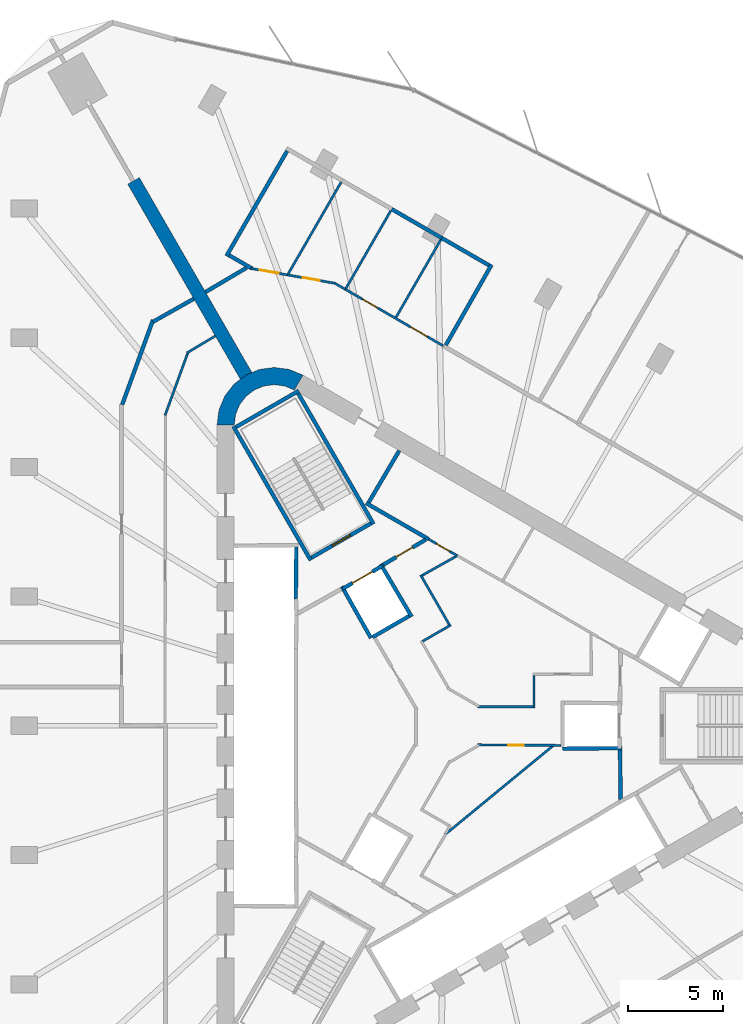
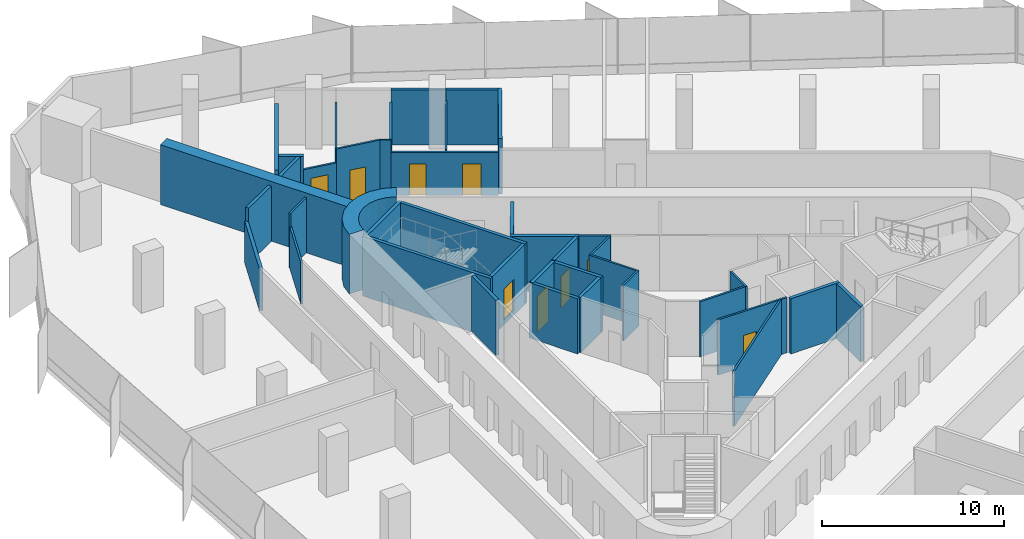
# One storey, part 10 of 14: 41 walls, 9 doors, 9 openings.
"""IFC4 building model written with IfcOpenShell, lengths in metres."""

from ifc_helpers import new_model, si_unit, direction, frame, frame_2d, origin, place, context, subcontext, project, spatial, polyline, rectangle, outline, extrude, material, layer, layer_set, type_object, element, fill, save


model = new_model("IFC4")

# Units and contexts
model_context = context("Model", 3, precision=1e-05, world=origin(), true_north=direction((0.0, 1.0)))
body_context = subcontext(model_context, "Body", "Model", "MODEL_VIEW")
ifc_project = project(units=[si_unit("LENGTHUNIT", "METRE"), si_unit("AREAUNIT", "SQUARE_METRE"), si_unit("VOLUMEUNIT", "CUBIC_METRE"), si_unit("PLANEANGLEUNIT", "RADIAN"), si_unit("MASSUNIT", "GRAM", prefix="KILO")], contexts=[model_context])

# Site, building, storey
site_placement = place(None, origin())
site = spatial("IfcSite", under=ifc_project, at=site_placement, CompositionType="ELEMENT")
building_placement = place(site_placement, origin())
building = spatial("IfcBuilding", under=site, at=building_placement, Name="Tanit Gate Tower", CompositionType="ELEMENT")
storey_placement = place(building_placement, frame((0.0, 0.0, 205.199951171875)))
storey = spatial("IfcBuildingStorey", under=building, at=storey_placement, Name="L45", CompositionType="ELEMENT", Elevation=205.199951171875)

# Walls
ifc_material_1 = material(Name="Concrete C50/60", Category="concrete")
ifc_layer_1 = layer(ifc_material_1, 0.699951171875)
ifc_layer_set_1 = layer_set([ifc_layer_1], Name="BUTTRESS FIN 700 C50/60")
wall_type_1 = type_object("IfcWallType", Name="BUTTRESS FIN 700 C50/60", PredefinedType="SHEAR", material=ifc_layer_set_1)
wall_1_placement = place(storey_placement, frame((-10.574951171875, 18.31640625, 0.0), z_axis=(0.0, 0.0, 1.0), x_axis=(-0.499999598486, 0.866025635599, 0.0)))
element("IfcWall", 1, at=wall_1_placement, inside=storey, type_object=wall_type_1, Name="BUTTRESS FIN", PredefinedType="SHEAR", context=body_context, shape_type="SweptSolid", body=[
    extrude(rectangle(XDim=11.7939453125, YDim=0.699951171875, at=frame_2d((5.89697265625, 0.0))), origin(), (0.0, 0.0, 1.0), 4.0),
])
ifc_material_2 = material(Name="Concrete C50/60", Category="concrete")
ifc_layer_2 = layer(ifc_material_2, 0.89990234375)
ifc_layer_set_2 = layer_set([ifc_layer_2], Name="CORE WALL 900 C50/60")
wall_type_2 = type_object("IfcWallType", Name="CORE WALL 900 C50/60", PredefinedType="SHEAR", material=ifc_layer_set_2)
wall_2_placement = place(storey_placement, origin())
element("IfcWall", 2, at=wall_2_placement, inside=storey, type_object=wall_type_2, Name="CORE WALL CORNER", PredefinedType="SHEAR", context=body_context, shape_type="SweptSolid", body=[
    extrude(outline(polyline([(-7.60009765625, 18.359619140625), (-8.323486328125, 18.659423828125), (-9.10009765625, 18.76171875), (-9.87646484375, 18.659423828125), (-10.60009765625, 18.359619140625), (-11.22119140625, 17.883056640625), (-11.697998046875, 17.26171875), (-11.997802734375, 16.5380859375), (-12.10009765625, 15.76171875), (-11.199951171875, 15.76171875), (-11.12841796875, 16.30517578125), (-10.918701171875, 16.811767578125), (-10.5849609375, 17.24658203125), (-10.14990234375, 17.580322265625), (-9.6435546875, 17.7900390625), (-9.10009765625, 17.86181640625), (-8.556396484375, 17.7900390625), (-8.050048828125, 17.580322265625), (-7.60009765625, 18.359619140625)])), origin(), (0.0, 0.0, 1.0), 4.0),
])
ifc_material_3 = material(Name="Fire-rated gypsum board partition")
ifc_layer_3 = layer(ifc_material_3, 0.199951171875)
ifc_layer_set_3 = layer_set([ifc_layer_3], Name="INT-WALL-COMPARTMENT")
wall_type_3 = type_object("IfcWallType", Name="INT-WALL-COMPARTMENT", PredefinedType="PARTITIONING", material=ifc_layer_set_3)
wall_3_placement = place(storey_placement, frame((-4.295654296875, 11.659912109375, 0.0), z_axis=(0.0, 0.0, 1.0), x_axis=(0.866027389382, -0.499996560828, 0.0)))
element("IfcWall", 3, at=wall_3_placement, inside=storey, type_object=wall_type_3, Name="Wall Compartment W053", PredefinedType="PARTITIONING", context=body_context, shape_type="SweptSolid", body=[
    extrude(rectangle(XDim=3.77783203125, YDim=0.199951171875, at=frame_2d((1.888916015625, 0.0))), origin(), (0.0, 0.0, 1.0), 3.699951171875),
])
wall_4_placement = place(storey_placement, frame((-2.557861328125, 14.409423828125, 0.0), z_axis=(0.0, 0.0, 1.0), x_axis=(-0.508018930956, -0.861345903683, 0.0)))
element("IfcWall", 4, at=wall_4_placement, inside=storey, type_object=wall_type_3, Name="Wall Compartment W054", PredefinedType="PARTITIONING", context=body_context, shape_type="SweptSolid", body=[
    extrude(rectangle(XDim=3.150146484375, YDim=0.199951171875, at=frame_2d((1.5751953125, 0.0))), origin(), (0.0, 0.0, 1.0), 3.699951171875),
])
wall_5_placement = place(storey_placement, frame((9.02880859375, -3.8505859375, 0.0), z_axis=(0.0, 0.0, 1.0), x_axis=(-0.010784614026, 0.999941844359, 0.0)))
element("IfcWall", 5, at=wall_5_placement, inside=storey, type_object=wall_type_3, Name="Wall Compartment W059", PredefinedType="PARTITIONING", context=body_context, shape_type="SweptSolid", body=[
    extrude(rectangle(XDim=2.580810546875, YDim=0.199951171875, at=frame_2d((1.29052734375, 0.0))), origin(), (0.0, 0.0, 1.0), 3.699951171875),
])

# Wall, opening, door
wall_6_placement = place(storey_placement, frame((-1.1787109375, 9.744873046875, 0.0), z_axis=(0.0, 0.0, 1.0), x_axis=(-0.860630814782, -0.509229418482, 0.0)))
wall_6 = element("IfcWall", 6, at=wall_6_placement, inside=storey, type_object=wall_type_3, Name="Wall Compartment W062", PredefinedType="PARTITIONING", context=body_context, shape_type="SweptSolid", body=[
    extrude(rectangle(XDim=2.581787109375, YDim=0.199951171875, at=frame_2d((1.291015625, 0.0))), origin(), (0.0, 0.0, 1.0), 3.699951171875),
])
opening_1_placement = place(wall_6_placement, frame((0.791015625, 0.0, 0.0)))
opening_1 = element("IfcOpeningElement", 7, at=opening_1_placement, cuts=wall_6, Name="Opening F10-S12-05", PredefinedType="OPENING", context=body_context, shape_type="SweptSolid", body=[
    extrude(rectangle(XDim=1.0, YDim=2.10009765625, at=frame_2d((0.5, 1.050048828125))), frame((0.0, 0.10986328125, 0.0), z_axis=(0.0, -1.0, 0.0), x_axis=(1.0, 0.0, 0.0)), (0.0, 0.0, 1.0), 0.219970703125),
])
ifc_material_4 = material(Name="Fire-rated steel door leaf", Category="steel")
door_type_1 = type_object("IfcDoorType", Name="INT-DOOR-FIRE-1000", OperationType="NOTDEFINED", PredefinedType="USERDEFINED", material=ifc_material_4)
door_1_placement = place(opening_1_placement, origin())
door_1 = element("IfcDoor", 8, at=door_1_placement, inside=storey, type_object=door_type_1, Name="Door F10-S12-05", ObjectType="FIRE DOOR", OperationType="SINGLE_SWING_RIGHT", OverallHeight=2.10009765625, OverallWidth=1.0, PredefinedType="USERDEFINED", context=body_context, shape_type="SweptSolid", body=[
    extrude(rectangle(XDim=1.0, YDim=2.10009765625, at=frame_2d((0.5, 1.050048828125))), frame((0.0, 0.02490234375, 0.0), z_axis=(0.0, -1.0, 0.0), x_axis=(1.0, 0.0, 0.0)), (0.0, 0.0, 1.0), 0.050048828125),
])
fill(opening_1, door_1)

# Walls
wall_7_placement = place(storey_placement, frame((-15.456298828125, 21.238525390625, 0.0), z_axis=(0.0, 0.0, 1.0), x_axis=(-0.34205546997, -0.939679762187, 0.0)))
element("IfcWall", 9, at=wall_7_placement, inside=storey, type_object=wall_type_3, Name="Wall Compartment W093", PredefinedType="PARTITIONING", context=body_context, shape_type="SweptSolid", body=[
    extrude(rectangle(XDim=4.705810546875, YDim=0.199951171875, at=frame_2d((2.35302734375, 0.0))), origin(), (0.0, 0.0, 1.0), 2.780029296875),
])
wall_8_placement = place(storey_placement, frame((-13.31298828125, 22.35888671875, 0.0), z_axis=(0.0, 0.0, 1.0), x_axis=(-0.87121710687, -0.490897904555, 0.0)))
element("IfcWall", 10, at=wall_8_placement, inside=storey, type_object=wall_type_3, Name="Wall Compartment W094", PredefinedType="PARTITIONING", context=body_context, shape_type="SweptSolid", body=[
    extrude(rectangle(XDim=2.457275390625, YDim=0.199951171875, at=frame_2d((1.228515625, 0.0))), origin(), (0.0, 0.0, 1.0), 3.699951171875),
])
wall_9_placement = place(storey_placement, frame((-10.5498046875, 23.984619140625, 0.0), z_axis=(0.0, 0.0, 1.0), x_axis=(-0.860742216303, -0.509041095663, 0.0)))
element("IfcWall", 11, at=wall_9_placement, inside=storey, type_object=wall_type_3, Name="Wall Compartment W102", PredefinedType="PARTITIONING", context=body_context, shape_type="SweptSolid", body=[
    extrude(rectangle(XDim=2.505859375, YDim=0.199951171875, at=frame_2d((1.2529296875, 0.0))), origin(), (0.0, 0.0, 1.0), 3.699951171875),
])
wall_10_placement = place(storey_placement, frame((2.277587890625, 24.146240234375, 0.0), z_axis=(0.0, 0.0, 1.0), x_axis=(-0.494609479201, -0.869115333592, 0.0)))
element("IfcWall", 12, at=wall_10_placement, inside=storey, type_object=wall_type_3, Name="Wall Compartment W129", PredefinedType="PARTITIONING", context=body_context, shape_type="SweptSolid", body=[
    extrude(rectangle(XDim=4.85009765625, YDim=0.199951171875, at=frame_2d((2.425048828125, 0.0))), origin(), (0.0, 0.0, 1.0), 3.699951171875),
])
wall_11_placement = place(storey_placement, frame((-2.954833984375, 27.0517578125, 0.0), z_axis=(0.0, 0.0, 1.0), x_axis=(0.865996229516, -0.50005052791, 0.0)))
element("IfcWall", 13, at=wall_11_placement, inside=storey, type_object=wall_type_3, Name="Wall Compartment W131", PredefinedType="PARTITIONING", context=body_context, shape_type="SweptSolid", body=[
    extrude(rectangle(XDim=3.027587890625, YDim=0.199951171875, at=frame_2d((1.513671875, 0.0))), origin(), (0.0, 0.0, 1.0), 3.699951171875),
])
wall_12_placement = place(storey_placement, frame((-0.3330078125, 25.537841796875, 0.0), z_axis=(0.0, 0.0, 1.0), x_axis=(0.866063225885, -0.499934484477, 0.0)))
element("IfcWall", 14, at=wall_12_placement, inside=storey, type_object=wall_type_3, Name="Wall Compartment W130", PredefinedType="PARTITIONING", context=body_context, shape_type="SweptSolid", body=[
    extrude(rectangle(XDim=2.857421875, YDim=0.199951171875, at=frame_2d((1.4287109375, 0.0))), origin(), (0.0, 0.0, 1.0), 3.699951171875),
])
wall_13_placement = place(storey_placement, frame((-8.4306640625, 30.09765625, 0.0), z_axis=(0.0, 0.0, 1.0), x_axis=(-0.500005339912, -0.866022320763, 0.0)))
element("IfcWall", 15, at=wall_13_placement, inside=storey, type_object=wall_type_3, Name="Wall Compartment W134", PredefinedType="PARTITIONING", context=body_context, shape_type="SweptSolid", body=[
    extrude(rectangle(XDim=6.35009765625, YDim=0.199951171875, at=frame_2d((3.175048828125, 0.0))), origin(), (0.0, 0.0, 1.0), 2.780029296875),
])
wall_14_placement = place(storey_placement, frame((-11.468994140625, 24.635009765625, 0.0), z_axis=(0.0, 0.0, 1.0), x_axis=(0.866030639775, -0.499990930889, 0.0)))
element("IfcWall", 16, at=wall_14_placement, inside=storey, type_object=wall_type_3, Name="Wall Compartment W135", PredefinedType="PARTITIONING", context=body_context, shape_type="SweptSolid", body=[
    extrude(rectangle(XDim=1.390625, YDim=0.199951171875, at=frame_2d((0.6953125, 0.0))), origin(), (0.0, 0.0, 1.0), 3.699951171875),
])

# Wall, opening, door
ifc_material_5 = material(Name="Gypsum board partition")
ifc_layer_4 = layer(ifc_material_5, 0.1201171875)
ifc_layer_set_4 = layer_set([ifc_layer_4], Name="INT-WALL-PARTITION")
wall_type_4 = type_object("IfcWallType", Name="INT-WALL-PARTITION", PredefinedType="PARTITIONING", material=ifc_layer_set_4)
wall_15_placement = place(storey_placement, frame((-1.02392578125, 9.77099609375, 0.0), z_axis=(0.0, 0.0, 1.0), x_axis=(0.866039397417, -0.499975761534, 0.0)))
wall_15 = element("IfcWall", 17, at=wall_15_placement, inside=storey, type_object=wall_type_4, Name="Wall Partition W056", PredefinedType="PARTITIONING", context=body_context, shape_type="SweptSolid", body=[
    extrude(rectangle(XDim=1.751953125, YDim=0.1201171875, at=frame_2d((0.8759765625, 0.0))), origin(), (0.0, 0.0, 1.0), 3.699951171875),
])
opening_2_placement = place(wall_15_placement, frame((0.4658203125, 0.0, 0.0)))
opening_2 = element("IfcOpeningElement", 18, at=opening_2_placement, cuts=wall_15, Name="Opening R08-S12-15", PredefinedType="OPENING", context=body_context, shape_type="SweptSolid", body=[
    extrude(rectangle(XDim=0.800048828125, YDim=2.10009765625, at=frame_2d((0.39990234375, 1.050048828125))), frame((0.0, 0.070068359375, 0.0), z_axis=(0.0, -1.0, 0.0), x_axis=(1.0, 0.0, 0.0)), (0.0, 0.0, 1.0), 0.14013671875),
])
ifc_material_6 = material(Name="Timber door leaf", Category="wood")
door_type_2 = type_object("IfcDoorType", Name="INT-DOOR-RISER-800", OperationType="NOTDEFINED", PredefinedType="USERDEFINED", material=ifc_material_6)
door_2_placement = place(opening_2_placement, origin())
door_2 = element("IfcDoor", 19, at=door_2_placement, inside=storey, type_object=door_type_2, Name="Door R08-S12-15", ObjectType="FIRE DOOR", OperationType="SINGLE_SWING_RIGHT", OverallHeight=2.10009765625, OverallWidth=0.800048828125, PredefinedType="USERDEFINED", context=body_context, shape_type="SweptSolid", body=[
    extrude(rectangle(XDim=0.800048828125, YDim=2.10009765625, at=frame_2d((0.39990234375, 1.050048828125))), frame((0.0, 0.02490234375, 0.0), z_axis=(0.0, -1.0, 0.0), x_axis=(1.0, 0.0, 0.0)), (0.0, 0.0, 1.0), 0.050048828125),
])
fill(opening_2, door_2)

# Wall
wall_16_placement = place(storey_placement, frame((5.5478515625, -1.0, 0.0), z_axis=(0.0, 0.0, 1.0), x_axis=(-0.772345431507, -0.635202750648, 0.0)))
element("IfcWall", 20, at=wall_16_placement, inside=storey, type_object=wall_type_4, Name="Wall Partition W068", PredefinedType="PARTITIONING", context=body_context, shape_type="SweptSolid", body=[
    extrude(rectangle(XDim=7.41455078125, YDim=0.1201171875, at=frame_2d((3.707275390625, 0.0))), origin(), (0.0, 0.0, 1.0), 3.699951171875),
])

# Wall, opening, door
wall_17_placement = place(storey_placement, frame((5.89990234375, -1.02880859375, 0.0), z_axis=(0.0, 0.0, 1.0), x_axis=(-0.999977012451, 0.006780454946, 0.0)))
wall_17 = element("IfcWall", 21, at=wall_17_placement, inside=storey, type_object=wall_type_4, Name="Wall Partition W071", PredefinedType="PARTITIONING", context=body_context, shape_type="SweptSolid", body=[
    extrude(rectangle(XDim=4.356689453125, YDim=0.1201171875, at=frame_2d((2.17822265625, 0.0))), origin(), (0.0, 0.0, 1.0), 3.699951171875),
])
opening_3_placement = place(wall_17_placement, frame((1.9541015625, 0.0, 0.0)))
opening_3 = element("IfcOpeningElement", 22, at=opening_3_placement, cuts=wall_17, Name="Opening R08-S12-12", PredefinedType="OPENING", context=body_context, shape_type="SweptSolid", body=[
    extrude(rectangle(XDim=0.800048828125, YDim=2.10009765625, at=frame_2d((0.39990234375, 1.050048828125))), frame((0.0, 0.070068359375, 0.0), z_axis=(0.0, -1.0, 0.0), x_axis=(1.0, 0.0, 0.0)), (0.0, 0.0, 1.0), 0.14013671875),
])
door_3_placement = place(opening_3_placement, origin())
door_3 = element("IfcDoor", 23, at=door_3_placement, inside=storey, type_object=door_type_2, Name="Door R08-S12-12", ObjectType="FIRE DOOR", OperationType="SINGLE_SWING_LEFT", OverallHeight=2.10009765625, OverallWidth=0.800048828125, PredefinedType="USERDEFINED", context=body_context, shape_type="SweptSolid", body=[
    extrude(rectangle(XDim=0.800048828125, YDim=2.10009765625, at=frame_2d((0.39990234375, 1.050048828125))), frame((0.0, 0.02490234375, 0.0), z_axis=(0.0, -1.0, 0.0), x_axis=(1.0, 0.0, 0.0)), (0.0, 0.0, 1.0), 0.050048828125),
])
fill(opening_3, door_3)

# Walls
wall_18_placement = place(storey_placement, frame((4.5, 0.93994140625, 0.0), z_axis=(0.0, 0.0, 1.0), x_axis=(0.0, 1.0, 0.0)))
element("IfcWall", 24, at=wall_18_placement, inside=storey, type_object=wall_type_4, Name="Wall Partition W079", PredefinedType="PARTITIONING", context=body_context, shape_type="SweptSolid", body=[
    extrude(rectangle(XDim=1.699951171875, YDim=0.1201171875, at=frame_2d((0.85009765625, 0.0))), origin(), (0.0, 0.0, 1.0), 3.699951171875),
])
wall_19_placement = place(storey_placement, frame((1.54150390625, 1.0, 0.0), z_axis=(0.0, 0.0, 1.0), x_axis=(1.0, 0.0, 0.0)))
element("IfcWall", 25, at=wall_19_placement, inside=storey, type_object=wall_type_4, Name="Wall Partition W080", PredefinedType="PARTITIONING", context=body_context, shape_type="SweptSolid", body=[
    extrude(rectangle(XDim=2.8984375, YDim=0.1201171875, at=frame_2d((1.44921875, 0.0))), origin(), (0.0, 0.0, 1.0), 3.699951171875),
])
wall_20_placement = place(storey_placement, frame((0.14013671875, 5.277099609375, 0.0), z_axis=(0.0, 0.0, 1.0), x_axis=(-0.865989465428, -0.500062241894, 0.0)))
element("IfcWall", 26, at=wall_20_placement, inside=storey, type_object=wall_type_4, Name="Wall Partition W083", PredefinedType="PARTITIONING", context=body_context, shape_type="SweptSolid", body=[
    extrude(rectangle(XDim=1.699951171875, YDim=0.1201171875, at=frame_2d((0.85009765625, 0.0))), origin(), (0.0, 0.0, 1.0), 3.699951171875),
])
wall_21_placement = place(storey_placement, frame((-1.441650390625, 7.897216796875, 0.0), z_axis=(0.0, 0.0, 1.0), x_axis=(0.499990139034, -0.866031096941, 0.0)))
element("IfcWall", 27, at=wall_21_placement, inside=storey, type_object=wall_type_4, Name="Wall Partition W084", PredefinedType="PARTITIONING", context=body_context, shape_type="SweptSolid", body=[
    extrude(rectangle(XDim=3.0, YDim=0.1201171875, at=frame_2d((1.5, 0.0))), origin(), (0.0, 0.0, 1.0), 3.699951171875),
])
wall_22_placement = place(storey_placement, frame((0.414306640625, 8.87109375, 0.0), z_axis=(0.0, 0.0, 1.0), x_axis=(-0.871809386997, -0.48984527429, 0.0)))
element("IfcWall", 28, at=wall_22_placement, inside=storey, type_object=wall_type_4, Name="Wall Partition W085", PredefinedType="PARTITIONING", context=body_context, shape_type="SweptSolid", body=[
    extrude(rectangle(XDim=2.034423828125, YDim=0.1201171875, at=frame_2d((1.01708984375, 0.0))), origin(), (0.0, 0.0, 1.0), 3.699951171875),
])
wall_23_placement = place(storey_placement, frame((-12.188720703125, 20.411376953125, 0.0), z_axis=(0.0, 0.0, 1.0), x_axis=(-0.858492721014, -0.51282574815, 0.0)))
element("IfcWall", 29, at=wall_23_placement, inside=storey, type_object=wall_type_4, Name="Wall Partition W086", PredefinedType="PARTITIONING", context=body_context, shape_type="SweptSolid", body=[
    extrude(rectangle(XDim=1.742431640625, YDim=0.1201171875, at=frame_2d((0.87109375, 0.0))), origin(), (0.0, 0.0, 1.0), 3.699951171875),
])
wall_24_placement = place(storey_placement, frame((-13.630615234375, 19.529541015625, 0.0), z_axis=(0.0, 0.0, 1.0), x_axis=(-0.342069878069, -0.939674517329, 0.0)))
element("IfcWall", 30, at=wall_24_placement, inside=storey, type_object=wall_type_4, Name="Wall Partition W087", PredefinedType="PARTITIONING", context=body_context, shape_type="SweptSolid", body=[
    extrude(rectangle(XDim=3.478759765625, YDim=0.1201171875, at=frame_2d((1.7392578125, 0.0))), origin(), (0.0, 0.0, 1.0), 2.780029296875),
])

# Wall, openings, doors
wall_25_placement = place(storey_placement, frame((-0.257568359375, 19.89404296875, 0.0), z_axis=(0.0, 0.0, 1.0), x_axis=(-0.866014429462, 0.500019007602, 0.0)))
wall_25 = element("IfcWall", 31, at=wall_25_placement, inside=storey, type_object=wall_type_4, Name="Wall Partition W104", PredefinedType="PARTITIONING", context=body_context, shape_type="SweptSolid", body=[
    extrude(rectangle(XDim=5.914794921875, YDim=0.1201171875, at=frame_2d((2.95751953125, 0.0))), origin(), (0.0, 0.0, 1.0), 2.880126953125),
])
opening_4_placement = place(wall_25_placement, frame((0.9736328125, 0.0, 0.0)))
opening_4 = element("IfcOpeningElement", 32, at=opening_4_placement, cuts=wall_25, Name="Opening D10-S12-21", PredefinedType="OPENING", context=body_context, shape_type="SweptSolid", body=[
    extrude(rectangle(XDim=1.0, YDim=2.10009765625, at=frame_2d((0.5, 1.050048828125))), frame((0.0, 0.070068359375, 0.0), z_axis=(0.0, -1.0, 0.0), x_axis=(1.0, 0.0, 0.0)), (0.0, 0.0, 1.0), 0.14013671875),
])
opening_5_placement = place(wall_25_placement, frame((3.98095703125, 0.0, 0.0)))
opening_5 = element("IfcOpeningElement", 33, at=opening_5_placement, cuts=wall_25, Name="Opening D09-S12-22", PredefinedType="OPENING", context=body_context, shape_type="SweptSolid", body=[
    extrude(rectangle(XDim=0.89990234375, YDim=2.10009765625, at=frame_2d((0.449951171875, 1.050048828125))), frame((0.0, 0.070068359375, 0.0), z_axis=(0.0, -1.0, 0.0), x_axis=(1.0, 0.0, 0.0)), (0.0, 0.0, 1.0), 0.14013671875),
])
ifc_material_7 = material(Name="Timber door leaf", Category="wood")
door_type_3 = type_object("IfcDoorType", Name="INT-DOOR-SINGLE-1000", OperationType="NOTDEFINED", PredefinedType="NOTDEFINED", material=ifc_material_7)
door_4_placement = place(opening_4_placement, origin())
door_4 = element("IfcDoor", 34, at=door_4_placement, inside=storey, type_object=door_type_3, Name="Door D10-S12-21", OperationType="SINGLE_SWING_LEFT", OverallHeight=2.10009765625, OverallWidth=1.0, PredefinedType="NOTDEFINED", context=body_context, shape_type="SweptSolid", body=[
    extrude(rectangle(XDim=1.0, YDim=2.10009765625, at=frame_2d((0.5, 1.050048828125))), frame((0.0, 0.02490234375, 0.0), z_axis=(0.0, -1.0, 0.0), x_axis=(1.0, 0.0, 0.0)), (0.0, 0.0, 1.0), 0.050048828125),
])
fill(opening_4, door_4)
ifc_material_8 = material(Name="Timber door leaf", Category="wood")
door_type_4 = type_object("IfcDoorType", Name="INT-DOOR-SINGLE-900", OperationType="NOTDEFINED", PredefinedType="NOTDEFINED", material=ifc_material_8)
door_5_placement = place(opening_5_placement, origin())
door_5 = element("IfcDoor", 35, at=door_5_placement, inside=storey, type_object=door_type_4, Name="Door D09-S12-22", OperationType="SINGLE_SWING_LEFT", OverallHeight=2.10009765625, OverallWidth=0.89990234375, PredefinedType="NOTDEFINED", context=body_context, shape_type="SweptSolid", body=[
    extrude(rectangle(XDim=0.89990234375, YDim=2.10009765625, at=frame_2d((0.449951171875, 1.050048828125))), frame((0.0, 0.02490234375, 0.0), z_axis=(0.0, -1.0, 0.0), x_axis=(1.0, 0.0, 0.0)), (0.0, 0.0, 1.0), 0.050048828125),
])
fill(opening_5, door_5)

# Wall
wall_26_placement = place(storey_placement, frame((-5.3798828125, 22.8515625, 0.0), z_axis=(0.0, 0.0, 1.0), x_axis=(-0.866129309467, 0.499819986878, 0.0)))
element("IfcWall", 36, at=wall_26_placement, inside=storey, type_object=wall_type_4, Name="Wall Partition W107", PredefinedType="PARTITIONING", context=body_context, shape_type="SweptSolid", body=[
    extrude(rectangle(XDim=0.577880859375, YDim=0.1201171875, at=frame_2d((0.2890625, 0.0))), origin(), (0.0, 0.0, 1.0), 3.699951171875),
])

# Wall, opening, door
wall_27_placement = place(storey_placement, frame((-5.873046875, 23.159912109375, 0.0), z_axis=(0.0, 0.0, 1.0), x_axis=(-0.984810190637, 0.173634352644, 0.0)))
wall_27 = element("IfcWall", 37, at=wall_27_placement, inside=storey, type_object=wall_type_4, Name="Wall Partition W106", PredefinedType="PARTITIONING", context=body_context, shape_type="SweptSolid", body=[
    extrude(rectangle(XDim=2.5830078125, YDim=0.1201171875, at=frame_2d((1.29150390625, 0.0))), origin(), (0.0, 0.0, 1.0), 3.699951171875),
])
opening_6_placement = place(wall_27_placement, frame((0.87158203125, 0.0, 0.0)))
opening_6 = element("IfcOpeningElement", 38, at=opening_6_placement, cuts=wall_27, Name="Opening D09-S12-23", PredefinedType="OPENING", context=body_context, shape_type="SweptSolid", body=[
    extrude(rectangle(XDim=0.89990234375, YDim=2.10009765625, at=frame_2d((0.449951171875, 1.050048828125))), frame((0.0, 0.070068359375, 0.0), z_axis=(0.0, -1.0, 0.0), x_axis=(1.0, 0.0, 0.0)), (0.0, 0.0, 1.0), 0.14013671875),
])
door_6_placement = place(opening_6_placement, origin())
door_6 = element("IfcDoor", 39, at=door_6_placement, inside=storey, type_object=door_type_4, Name="Door D09-S12-23", OperationType="SINGLE_SWING_RIGHT", OverallHeight=2.10009765625, OverallWidth=0.89990234375, PredefinedType="NOTDEFINED", context=body_context, shape_type="SweptSolid", body=[
    extrude(rectangle(XDim=0.89990234375, YDim=2.10009765625, at=frame_2d((0.449951171875, 1.050048828125))), frame((0.0, 0.02490234375, 0.0), z_axis=(0.0, -1.0, 0.0), x_axis=(1.0, 0.0, 0.0)), (0.0, 0.0, 1.0), 0.050048828125),
])
fill(opening_6, door_6)

wall_28_placement = place(storey_placement, frame((-8.416748046875, 23.6083984375, 0.0), z_axis=(0.0, 0.0, 1.0), x_axis=(-0.984793637517, 0.173728211601, 0.0)))
wall_28 = element("IfcWall", 40, at=wall_28_placement, inside=storey, type_object=wall_type_4, Name="Wall Partition W108", PredefinedType="PARTITIONING", context=body_context, shape_type="SweptSolid", body=[
    extrude(rectangle(XDim=1.950439453125, YDim=0.1201171875, at=frame_2d((0.97509765625, 0.0))), origin(), (0.0, 0.0, 1.0), 2.780029296875),
])
opening_7_placement = place(wall_28_placement, frame((0.47509765625, 0.0, 0.0)))
opening_7 = element("IfcOpeningElement", 41, at=opening_7_placement, cuts=wall_28, Name="Opening D10-S12-24", PredefinedType="OPENING", context=body_context, shape_type="SweptSolid", body=[
    extrude(rectangle(XDim=1.0, YDim=2.10009765625, at=frame_2d((0.5, 1.050048828125))), frame((0.0, 0.070068359375, 0.0), z_axis=(0.0, -1.0, 0.0), x_axis=(1.0, 0.0, 0.0)), (0.0, 0.0, 1.0), 0.14013671875),
])
door_7_placement = place(opening_7_placement, origin())
door_7 = element("IfcDoor", 42, at=door_7_placement, inside=storey, type_object=door_type_3, Name="Door D10-S12-24", OperationType="SINGLE_SWING_RIGHT", OverallHeight=2.10009765625, OverallWidth=1.0, PredefinedType="NOTDEFINED", context=body_context, shape_type="SweptSolid", body=[
    extrude(rectangle(XDim=1.0, YDim=2.10009765625, at=frame_2d((0.5, 1.050048828125))), frame((0.0, 0.02490234375, 0.0), z_axis=(0.0, -1.0, 0.0), x_axis=(1.0, 0.0, 0.0)), (0.0, 0.0, 1.0), 0.050048828125),
])
fill(opening_7, door_7)

# Walls
wall_29_placement = place(storey_placement, frame((-2.727783203125, 21.3896484375, 0.0), z_axis=(0.0, 0.0, 1.0), x_axis=(0.500007844523, 0.866020874699, 0.0)))
element("IfcWall", 43, at=wall_29_placement, inside=storey, type_object=wall_type_4, Name="Wall Partition W145", PredefinedType="PARTITIONING", context=body_context, shape_type="SweptSolid", body=[
    extrude(rectangle(XDim=4.68994140625, YDim=0.1201171875, at=frame_2d((2.344970703125, 0.0))), origin(), (0.0, 0.0, 1.0), 2.97998046875),
])
wall_30_placement = place(storey_placement, frame((-5.349853515625, 22.9033203125, 0.0), z_axis=(0.0, 0.0, 1.0), x_axis=(0.499985303776, 0.866033888487, 0.0)))
element("IfcWall", 44, at=wall_30_placement, inside=storey, type_object=wall_type_4, Name="Wall Partition W146", PredefinedType="PARTITIONING", context=body_context, shape_type="SweptSolid", body=[
    extrude(rectangle(XDim=4.690185546875, YDim=0.1201171875, at=frame_2d((2.34521484375, 0.0))), origin(), (0.0, 0.0, 1.0), 2.880126953125),
])
wall_31_placement = place(storey_placement, frame((-8.375244140625, 23.662109375, 0.0), z_axis=(0.0, 0.0, 1.0), x_axis=(0.500031131263, 0.866007429395, 0.0)))
element("IfcWall", 45, at=wall_31_placement, inside=storey, type_object=wall_type_4, Name="Wall Partition W147", PredefinedType="PARTITIONING", context=body_context, shape_type="SweptSolid", body=[
    extrude(rectangle(XDim=5.545654296875, YDim=0.1201171875, at=frame_2d((2.77294921875, 0.0))), origin(), (0.0, 0.0, 1.0), 2.880126953125),
])
ifc_material_9 = material(Name="Gypsum shaft wall system")
ifc_layer_5 = layer(ifc_material_9, 0.199951171875)
ifc_layer_set_5 = layer_set([ifc_layer_5], Name="INT-WALL-SHAFT")
wall_type_5 = type_object("IfcWallType", Name="INT-WALL-SHAFT", PredefinedType="PLUMBINGWALL", material=ifc_layer_set_5)
wall_32_placement = place(storey_placement, frame((-7.951171875, 9.35009765625, 0.0), z_axis=(0.0, 0.0, 1.0), x_axis=(-0.011120469654, -0.999938165666, 0.0)))
element("IfcWall", 46, at=wall_32_placement, inside=storey, type_object=wall_type_5, Name="Wall Shaft W002", PredefinedType="PLUMBINGWALL", context=body_context, shape_type="SweptSolid", body=[
    extrude(rectangle(XDim=2.700439453125, YDim=0.199951171875, at=frame_2d((1.35009765625, 0.0))), origin(), (0.0, 0.0, 1.0), 3.699951171875),
])
wall_33_placement = place(storey_placement, frame((9.10009765625, -1.1689453125, 0.0), z_axis=(0.0, 0.0, 1.0), x_axis=(-0.999949988, -0.010001074852, 0.0)))
element("IfcWall", 47, at=wall_33_placement, inside=storey, type_object=wall_type_5, Name="Wall Shaft W030", PredefinedType="PLUMBINGWALL", context=body_context, shape_type="SweptSolid", body=[
    extrude(rectangle(XDim=3.100341796875, YDim=0.199951171875, at=frame_2d((1.55029296875, 0.0))), origin(), (0.0, 0.0, 1.0), 3.699951171875),
])

# Wall, opening, door
wall_34_placement = place(storey_placement, frame((-5.524169921875, 7.168212890625, 0.0), z_axis=(0.0, 0.0, 1.0), x_axis=(0.866024647952, 0.500001309137, 0.0)))
wall_34 = element("IfcWall", 48, at=wall_34_placement, inside=storey, type_object=wall_type_5, Name="Wall Shaft W037", PredefinedType="PLUMBINGWALL", context=body_context, shape_type="SweptSolid", body=[
    extrude(rectangle(XDim=2.39990234375, YDim=0.199951171875, at=frame_2d((1.199951171875, 0.0))), origin(), (0.0, 0.0, 1.0), 3.699951171875),
])
opening_8_placement = place(wall_34_placement, frame((0.60009765625, 0.0, 0.0)))
opening_8 = element("IfcOpeningElement", 49, at=opening_8_placement, cuts=wall_34, Name="Opening LDFL2-L45", PredefinedType="OPENING", context=body_context, shape_type="SweptSolid", body=[
    extrude(rectangle(XDim=1.199951171875, YDim=2.39990234375, at=frame_2d((0.60009765625, 1.199951171875))), frame((0.0, 0.10986328125, 0.0), z_axis=(0.0, -1.0, 0.0), x_axis=(1.0, 0.0, 0.0)), (0.0, 0.0, 1.0), 0.219970703125),
])
ifc_material_10 = material(Name="Stainless steel sliding door leaf", Category="steel")
door_type_5 = type_object("IfcDoorType", Name="INT-DOOR-LANDING-1200", OperationType="NOTDEFINED", PredefinedType="USERDEFINED", material=ifc_material_10)
door_8_placement = place(opening_8_placement, origin())
door_8 = element("IfcDoor", 50, at=door_8_placement, inside=storey, type_object=door_type_5, Name="Door LDFL2-L45", ObjectType="LANDING DOOR", OperationType="SLIDING_TO_LEFT", OverallHeight=2.39990234375, OverallWidth=1.199951171875, PredefinedType="USERDEFINED", context=body_context, shape_type="SweptSolid", body=[
    extrude(rectangle(XDim=1.199951171875, YDim=2.39990234375, at=frame_2d((0.60009765625, 1.199951171875))), frame((0.0, 0.02490234375, 0.0), z_axis=(0.0, -1.0, 0.0), x_axis=(1.0, 0.0, 0.0)), (0.0, 0.0, 1.0), 0.050048828125),
])
fill(opening_8, door_8)

# Walls
wall_35_placement = place(storey_placement, frame((-4.039306640625, 4.59619140625, 0.0), z_axis=(0.0, 0.0, 1.0), x_axis=(-0.491322718731, 0.870977603649, 0.0)))
element("IfcWall", 51, at=wall_35_placement, inside=storey, type_object=wall_type_5, Name="Wall Shaft W038", PredefinedType="PLUMBINGWALL", context=body_context, shape_type="SweptSolid", body=[
    extrude(rectangle(XDim=3.10009765625, YDim=0.199951171875, at=frame_2d((1.550048828125, 0.0))), origin(), (0.0, 0.0, 1.0), 3.699951171875),
])
wall_36_placement = place(storey_placement, frame((-3.53759765625, 8.46533203125, 0.0), z_axis=(0.0, 0.0, 1.0), x_axis=(0.508616218331, -0.860993346345, 0.0)))
element("IfcWall", 52, at=wall_36_placement, inside=storey, type_object=wall_type_5, Name="Wall Shaft W039", PredefinedType="PLUMBINGWALL", context=body_context, shape_type="SweptSolid", body=[
    extrude(rectangle(XDim=3.2001953125, YDim=0.199951171875, at=frame_2d((1.60009765625, 0.0))), origin(), (0.0, 0.0, 1.0), 3.699951171875),
])
wall_37_placement = place(storey_placement, frame((-2.04736328125, 5.74609375, 0.0), z_axis=(0.0, 0.0, 1.0), x_axis=(-0.866019606374, -0.500010041276, 0.0)))
element("IfcWall", 53, at=wall_37_placement, inside=storey, type_object=wall_type_5, Name="Wall Shaft W040", PredefinedType="PLUMBINGWALL", context=body_context, shape_type="SweptSolid", body=[
    extrude(rectangle(XDim=2.20458984375, YDim=0.199951171875, at=frame_2d((1.102294921875, 0.0))), origin(), (0.0, 0.0, 1.0), 3.699951171875),
])
ifc_material_11 = material(Name="Concrete C40/50", Category="concrete")
ifc_layer_6 = layer(ifc_material_11, 0.199951171875)
ifc_layer_set_6 = layer_set([ifc_layer_6], Name="INT-WALL-STAIR")
wall_type_6 = type_object("IfcWallType", Name="INT-WALL-STAIR", PredefinedType="SHEAR", material=ifc_layer_set_6)
wall_38_placement = place(storey_placement, frame((-11.245361328125, 15.677734375, -0.300048828125), z_axis=(0.0, 0.0, 1.0), x_axis=(0.499977274689, -0.866038523851, 0.0)))
element("IfcWall", 54, at=wall_38_placement, inside=storey, type_object=wall_type_6, Name="Wall Stair W033", PredefinedType="SHEAR", context=body_context, shape_type="SweptSolid", body=[
    extrude(rectangle(XDim=8.10009765625, YDim=0.199951171875, at=frame_2d((4.050048828125, 0.0))), origin(), (0.0, 0.0, 1.0), 4.0),
])
wall_39_placement = place(storey_placement, frame((-7.81787109375, 17.541015625, -0.300048828125), z_axis=(0.0, 0.0, 1.0), x_axis=(-0.866044365799, -0.499967155389, 0.0)))
element("IfcWall", 55, at=wall_39_placement, inside=storey, type_object=wall_type_6, Name="Wall Stair W034", PredefinedType="SHEAR", context=body_context, shape_type="SweptSolid", body=[
    extrude(rectangle(XDim=3.800048828125, YDim=0.199951171875, at=frame_2d((1.89990234375, 0.0))), origin(), (0.0, 0.0, 1.0), 4.0),
])
wall_40_placement = place(storey_placement, frame((-7.8544921875, 17.404541015625, -0.300048828125), z_axis=(0.0, 0.0, 1.0), x_axis=(0.499997992926, -0.866026562566, 0.0)))
element("IfcWall", 56, at=wall_40_placement, inside=storey, type_object=wall_type_6, Name="Wall Stair W035", PredefinedType="SHEAR", context=body_context, shape_type="SweptSolid", body=[
    extrude(rectangle(XDim=7.89990234375, YDim=0.199951171875, at=frame_2d((3.949951171875, 0.0))), origin(), (0.0, 0.0, 1.0), 4.0),
])

# Wall, opening, door
wall_41_placement = place(storey_placement, frame((-7.158935546875, 8.799560546875, -0.300048828125), z_axis=(0.0, 0.0, 1.0), x_axis=(0.866047807691, 0.499961193289, 0.0)))
wall_41 = element("IfcWall", 57, at=wall_41_placement, inside=storey, type_object=wall_type_6, Name="Wall Stair W036", PredefinedType="SHEAR", context=body_context, shape_type="SweptSolid", body=[
    extrude(rectangle(XDim=3.599853515625, YDim=0.199951171875, at=frame_2d((1.7998046875, 0.0))), origin(), (0.0, 0.0, 1.0), 4.0),
])
opening_9_placement = place(wall_41_placement, frame((1.25, 0.0, 0.300048828125)))
opening_9 = element("IfcOpeningElement", 58, at=opening_9_placement, cuts=wall_41, Name="Opening S11-S12-04", PredefinedType="OPENING", context=body_context, shape_type="SweptSolid", body=[
    extrude(rectangle(XDim=1.10009765625, YDim=2.10009765625, at=frame_2d((0.550048828125, 1.050048828125))), frame((0.0, 0.10986328125, 0.0), z_axis=(0.0, -1.0, 0.0), x_axis=(1.0, 0.0, 0.0)), (0.0, 0.0, 1.0), 0.219970703125),
])
ifc_material_12 = material(Name="Timber door leaf", Category="wood")
door_type_6 = type_object("IfcDoorType", Name="INT-DOOR-STAIR-1100", OperationType="NOTDEFINED", PredefinedType="USERDEFINED", material=ifc_material_12)
door_9_placement = place(opening_9_placement, origin())
door_9 = element("IfcDoor", 59, at=door_9_placement, inside=storey, type_object=door_type_6, Name="Door S11-S12-04", ObjectType="FIRE DOOR", OperationType="SINGLE_SWING_LEFT", OverallHeight=2.10009765625, OverallWidth=1.10009765625, PredefinedType="USERDEFINED", context=body_context, shape_type="SweptSolid", body=[
    extrude(rectangle(XDim=1.10009765625, YDim=2.10009765625, at=frame_2d((0.550048828125, 1.050048828125))), frame((0.0, 0.02490234375, 0.0), z_axis=(0.0, -1.0, 0.0), x_axis=(1.0, 0.0, 0.0)), (0.0, 0.0, 1.0), 0.050048828125),
])
fill(opening_9, door_9)

save(model, "model.ifc")
